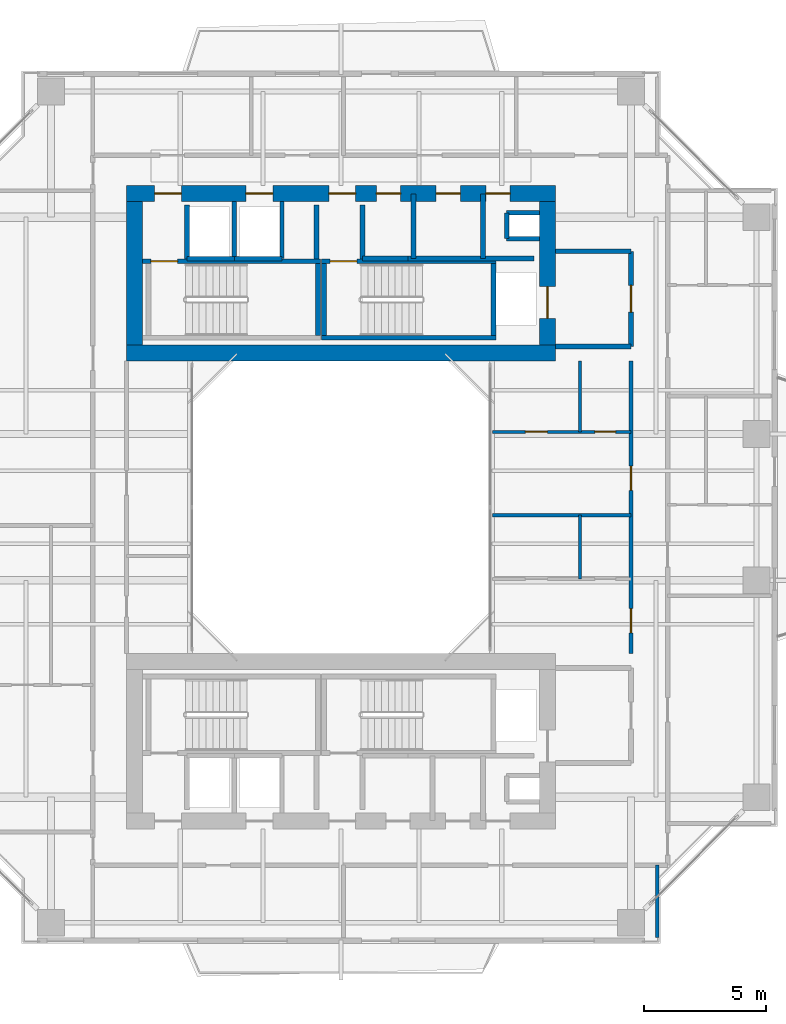
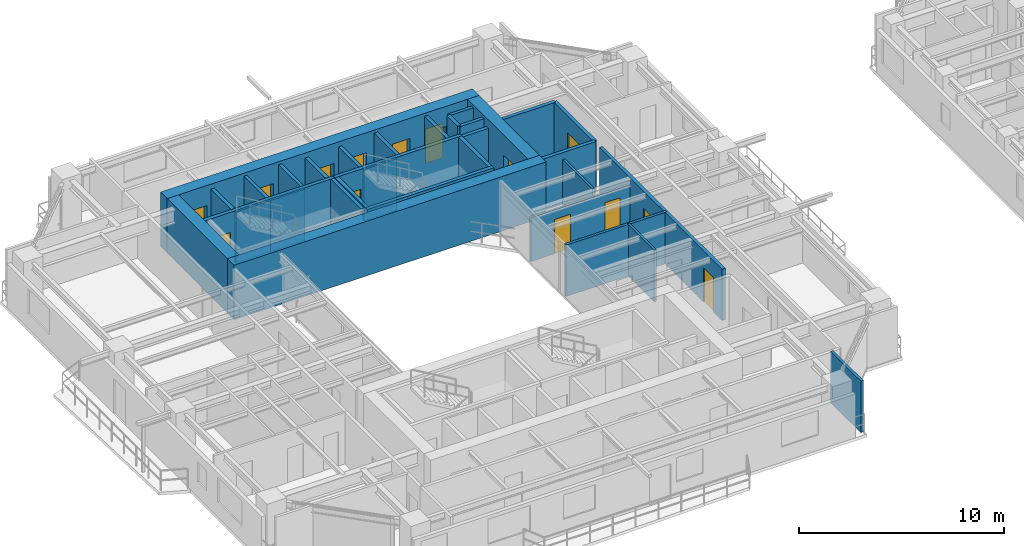
# One storey, part 15 of 23: 33 walls, 14 doors, 14 openings.
"""IFC4 building model written with IfcOpenShell, lengths in metres."""

from ifc_helpers import new_model, si_unit, direction, frame, frame_2d, origin, place, context, subcontext, project, spatial, rectangle, extrude, source, transform, mapped, material, layer, layer_set, type_object, element, fill, save


model = new_model("IFC4")

# Units and contexts
model_context = context("Model", 3, precision=1e-05, world=origin(), true_north=direction((0.0, 1.0)))
body_context = subcontext(model_context, "Body", "Model", "MODEL_VIEW")
ifc_project = project(units=[si_unit("LENGTHUNIT", "METRE"), si_unit("AREAUNIT", "SQUARE_METRE"), si_unit("VOLUMEUNIT", "CUBIC_METRE"), si_unit("PLANEANGLEUNIT", "RADIAN"), si_unit("MASSUNIT", "GRAM", prefix="KILO"), si_unit("THERMODYNAMICTEMPERATUREUNIT", "KELVIN"), si_unit("POWERUNIT", "WATT")], contexts=[model_context])

# Site, building, storey
site_placement = place(None, origin())
site = spatial("IfcSite", under=ifc_project, at=site_placement, CompositionType="ELEMENT")
building_placement = place(site_placement, origin())
building = spatial("IfcBuilding", under=site, at=building_placement, Name="Qiaomeng Ring Towers", CompositionType="ELEMENT")
storey_placement = place(building_placement, frame((0.0, 0.0, 100.25)))
storey = spatial("IfcBuildingStorey", under=building, at=storey_placement, Name="L28", CompositionType="ELEMENT", Elevation=100.25)

# Walls
ifc_material_1 = material(Name="Autoclaved aerated concrete block", Category="concrete")
ifc_layer_1 = layer(ifc_material_1, 0.199951171875, Name="Autoclaved aerated concrete block")
ifc_layer_set_1 = layer_set([ifc_layer_1], Name="Autoclaved aerated concrete block")
wall_type_1 = type_object("IfcWallType", Name="ARC-WL-PW1", PredefinedType="PARTITIONING", material=ifc_layer_set_1)
for number, where, z_axis, x_axis, name in (
    (1, (27.800048828125, 29.60009765625, 0.0), (0.0, 0.0, 1.0), (1.0, 0.0, 0.0), "L28 Interior Wall PW1"),
    (2, (27.800048828125, 33.5, 0.0), (0.0, 0.0, 1.0), (1.0, 0.0, 0.0), "L28 Interior Wall PW1"),
):
    element("IfcWall", number, at=place(storey_placement, frame(where, z_axis=z_axis, x_axis=x_axis)), inside=storey, type_object=wall_type_1, Name=name, PredefinedType="PARTITIONING", context=body_context, shape_type="SweptSolid", body=[
        extrude(rectangle(XDim=3.099853515625, YDim=0.199951171875, at=frame_2d((1.5498046875, 0.0))), origin(), (0.0, 0.0, 1.0), 3.070068359375),
    ])

# Wall, opening, door
wall_1_placement = place(storey_placement, frame((30.89990234375, 29.60009765625, 0.0), z_axis=(0.0, 0.0, 1.0), x_axis=(0.0, 1.0, 0.0)))
wall_1 = element("IfcWall", 3, at=wall_1_placement, inside=storey, type_object=wall_type_1, Name="L28 Interior Wall PW1", PredefinedType="PARTITIONING", context=body_context, shape_type="SweptSolid", body=[
    extrude(rectangle(XDim=3.89990234375, YDim=0.199951171875, at=frame_2d((1.949951171875, 0.0))), origin(), (0.0, 0.0, 1.0), 3.070068359375),
])
opening_1_placement = place(wall_1_placement, frame((1.39990234375, 0.0, 0.0)))
opening_1 = element("IfcOpeningElement", 4, at=opening_1_placement, cuts=wall_1, Name="Opening FD3", PredefinedType="OPENING", context=body_context, shape_type="SweptSolid", body=[
    extrude(rectangle(XDim=1.10009765625, YDim=2.050048828125, at=frame_2d((0.550048828125, 1.02490234375))), frame((0.0, 0.10986328125, 0.0), z_axis=(0.0, -1.0, 0.0), x_axis=(1.0, 0.0, 0.0)), (0.0, 0.0, 1.0), 0.219970703125),
])
ifc_material_2 = material(Name="Galvanised steel", Category="steel")
door_type_1 = type_object("IfcDoorType", Name="ARC-DR-FD3", OperationType="NOTDEFINED", PredefinedType="DOOR", material=ifc_material_2)
shared_shape_1 = source(origin(), body_context, "Body", "SweptSolid", [
    extrude(rectangle(XDim=1.10009765625, YDim=2.050048828125, at=frame_2d((0.550048828125, 1.02490234375))), frame((0.0, 0.02490234375, 0.0), z_axis=(0.0, -1.0, 0.0), x_axis=(1.0, 0.0, 0.0)), (0.0, 0.0, 1.0), 0.050048828125),
])
door_1_placement = place(opening_1_placement, origin())
door_1 = element("IfcDoor", 5, at=door_1_placement, inside=storey, type_object=door_type_1, Name="L28 North FF Lobby Door", OperationType="SINGLE_SWING_LEFT", OverallHeight=2.050048828125, OverallWidth=1.10009765625, PredefinedType="DOOR", context=body_context, shape_type="MappedRepresentation", body=[
    mapped(shared_shape_1, transform((0.0, 0.0, 0.0), x_axis=(1.0, 0.0, 0.0), y_axis=(0.0, 1.0, 0.0), z_axis=(0.0, 0.0, 1.0), scale=1.0)),
])
fill(opening_1, door_1)

# Walls
for number, where, z_axis, x_axis, name in (
    (6, (12.679931640625, 33.18994140625, 0.0), (0.0, 0.0, 1.0), (0.0, 1.0, 0.0), "L28 Interior Wall PW1"),
    (7, (18.0, 33.18994140625, 0.0), (0.0, 0.0, 1.0), (0.0, 1.0, 0.0), "L28 Interior Wall PW1"),
    (8, (19.8798828125, 33.18994140625, 0.0), (0.0, 0.0, 1.0), (0.0, 1.0, 0.0), "L28 Interior Wall PW1"),
):
    element("IfcWall", number, at=place(storey_placement, frame(where, z_axis=z_axis, x_axis=x_axis)), inside=storey, type_object=wall_type_1, Name=name, PredefinedType="PARTITIONING", context=body_context, shape_type="SweptSolid", body=[
        extrude(rectangle(XDim=2.2099609375, YDim=0.199951171875, at=frame_2d((1.10498046875, 0.0))), origin(), (0.0, 0.0, 1.0), 3.070068359375),
    ])
wall_2_placement = place(storey_placement, frame((24.820068359375, 33.199951171875, 0.0), z_axis=(0.0, 0.0, 1.0), x_axis=(0.0, 1.0, 0.0)))
element("IfcWall", 9, at=wall_2_placement, inside=storey, type_object=wall_type_1, Name="L28 Interior Wall PW1", PredefinedType="PARTITIONING", context=body_context, shape_type="SweptSolid", body=[
    extrude(rectangle(XDim=2.650146484375, YDim=0.199951171875, at=frame_2d((1.3251953125, 0.0))), origin(), (0.0, 0.0, 1.0), 3.070068359375),
])
wall_3_placement = place(storey_placement, frame((19.8798828125, 33.199951171875, 0.0), z_axis=(0.0, 0.0, 1.0), x_axis=(1.0, 0.0, 0.0)))
element("IfcWall", 10, at=wall_3_placement, inside=storey, type_object=wall_type_1, Name="L28 Interior Wall PW1", PredefinedType="PARTITIONING", context=body_context, shape_type="SweptSolid", body=[
    extrude(rectangle(XDim=1.8701171875, YDim=0.199951171875, at=frame_2d((0.93505859375, 0.0))), origin(), (0.0, 0.0, 1.0), 3.070068359375),
])
wall_4_placement = place(storey_placement, frame((21.97998046875, 33.199951171875, 0.0), z_axis=(0.0, 0.0, 1.0), x_axis=(0.0, 1.0, 0.0)))
element("IfcWall", 11, at=wall_4_placement, inside=storey, type_object=wall_type_1, Name="L28 Interior Wall PW1", PredefinedType="PARTITIONING", context=body_context, shape_type="SweptSolid", body=[
    extrude(rectangle(XDim=2.650146484375, YDim=0.199951171875, at=frame_2d((1.3251953125, 0.0))), origin(), (0.0, 0.0, 1.0), 3.070068359375),
])
wall_5_placement = place(storey_placement, frame((21.75, 33.199951171875, 0.0), z_axis=(0.0, 0.0, 1.0), x_axis=(1.0, 0.0, 0.0)))
element("IfcWall", 12, at=wall_5_placement, inside=storey, type_object=wall_type_1, Name="L28 Interior Wall PW1", PredefinedType="PARTITIONING", context=body_context, shape_type="SweptSolid", body=[
    extrude(rectangle(XDim=5.169921875, YDim=0.199951171875, at=frame_2d((2.5849609375, 0.0))), origin(), (0.0, 0.0, 1.0), 3.070068359375),
])

# Wall, openings, doors
ifc_layer_2 = layer(ifc_material_1, 0.179931640625, Name="Autoclaved aerated concrete block")
ifc_layer_set_2 = layer_set([ifc_layer_2], Name="Autoclaved aerated concrete block")
wall_type_2 = type_object("IfcWallType", Name="ARC-WL-PW2", PredefinedType="PARTITIONING", material=ifc_layer_set_2)
wall_6_placement = place(storey_placement, frame((30.89990234375, 17.0, 0.0), z_axis=(0.0, 0.0, 1.0), x_axis=(0.0, 1.0, 0.0)))
wall_6 = element("IfcWall", 13, at=wall_6_placement, inside=storey, type_object=wall_type_2, Name="L28 Interior Wall PW2", PredefinedType="PARTITIONING", context=body_context, shape_type="SweptSolid", body=[
    extrude(rectangle(XDim=12.0, YDim=0.179931640625, at=frame_2d((6.0, 0.0))), origin(), (0.0, 0.0, 1.0), 3.070068359375),
])
opening_2_placement = place(wall_6_placement, frame((0.840087890625, 0.0, 0.0)))
opening_2 = element("IfcOpeningElement", 14, at=opening_2_placement, cuts=wall_6, Name="Opening FD4", PredefinedType="OPENING", context=body_context, shape_type="SweptSolid", body=[
    extrude(rectangle(XDim=1.0, YDim=2.050048828125, at=frame_2d((0.5, 1.02490234375))), frame((0.0, 0.099853515625, 0.0), z_axis=(0.0, -1.0, 0.0), x_axis=(1.0, 0.0, 0.0)), (0.0, 0.0, 1.0), 0.199951171875),
])
opening_3_placement = place(wall_6_placement, frame((6.68994140625, 0.0, 0.0)))
opening_3 = element("IfcOpeningElement", 15, at=opening_3_placement, cuts=wall_6, Name="Opening FD4", PredefinedType="OPENING", context=body_context, shape_type="SweptSolid", body=[
    extrude(rectangle(XDim=1.0, YDim=2.050048828125, at=frame_2d((0.5, 1.02490234375))), frame((0.0, 0.099853515625, 0.0), z_axis=(0.0, -1.0, 0.0), x_axis=(1.0, 0.0, 0.0)), (0.0, 0.0, 1.0), 0.199951171875),
])
ifc_material_3 = material(Name="Engineered fire-rated oak timber", Category="wood")
door_type_2 = type_object("IfcDoorType", Name="ARC-DR-FD4", OperationType="NOTDEFINED", PredefinedType="DOOR", material=ifc_material_3)
shared_shape_2 = source(origin(), body_context, "Body", "SweptSolid", [
    extrude(rectangle(XDim=1.0, YDim=2.050048828125, at=frame_2d((0.5, 1.02490234375))), frame((0.0, 0.02490234375, 0.0), z_axis=(0.0, -1.0, 0.0), x_axis=(1.0, 0.0, 0.0)), (0.0, 0.0, 1.0), 0.050048828125),
])
door_2_placement = place(opening_2_placement, origin())
door_2 = element("IfcDoor", 16, at=door_2_placement, inside=storey, type_object=door_type_2, Name="L28 Door FD4", OperationType="SINGLE_SWING_LEFT", OverallHeight=2.050048828125, OverallWidth=1.0, PredefinedType="DOOR", context=body_context, shape_type="MappedRepresentation", body=[
    mapped(shared_shape_2, transform((0.0, 0.0, 0.0), x_axis=(1.0, 0.0, 0.0), y_axis=(0.0, 1.0, 0.0), z_axis=(0.0, 0.0, 1.0), scale=1.0)),
])
fill(opening_2, door_2)
door_3_placement = place(opening_3_placement, origin())
door_3 = element("IfcDoor", 17, at=door_3_placement, inside=storey, type_object=door_type_2, Name="L28 Door FD4", OperationType="SINGLE_SWING_RIGHT", OverallHeight=2.050048828125, OverallWidth=1.0, PredefinedType="DOOR", context=body_context, shape_type="MappedRepresentation", body=[
    mapped(shared_shape_2, transform((0.0, 0.0, 0.0), x_axis=(1.0, 0.0, 0.0), y_axis=(0.0, 1.0, 0.0), z_axis=(0.0, 0.0, 1.0), scale=1.0)),
])
fill(opening_3, door_3)

# Walls
ifc_material_4 = material(Name="Gypsum fireboard steel-stud partition", Category="steel")
ifc_layer_3 = layer(ifc_material_4, 0.14990234375, Name="Gypsum fireboard steel-stud partition")
ifc_layer_set_3 = layer_set([ifc_layer_3], Name="Gypsum fireboard steel-stud partition")
wall_type_3 = type_object("IfcWallType", Name="ARC-WL-PW3", PredefinedType="PARTITIONING", material=ifc_layer_set_3)
wall_7_placement = place(storey_placement, frame((31.97998046875, 5.35009765625, 0.0), z_axis=(0.0, 0.0, 1.0), x_axis=(0.0, 1.0, 0.0)))
element("IfcWall", 18, at=wall_7_placement, inside=storey, type_object=wall_type_3, Name="L28 Interior Wall PW3", PredefinedType="PARTITIONING", context=body_context, shape_type="SweptSolid", body=[
    extrude(rectangle(XDim=2.9599609375, YDim=0.14990234375, at=frame_2d((1.47998046875, 0.0))), origin(), (0.0, 0.0, 1.0), 3.070068359375),
])
wall_8_placement = place(storey_placement, frame((25.219970703125, 22.669921875, 0.0), z_axis=(0.0, 0.0, 1.0), x_axis=(1.0, 0.0, 0.0)))
element("IfcWall", 19, at=wall_8_placement, inside=storey, type_object=wall_type_3, Name="L28 Interior Wall PW3", PredefinedType="PARTITIONING", context=body_context, shape_type="SweptSolid", body=[
    extrude(rectangle(XDim=5.679931640625, YDim=0.14990234375, at=frame_2d((2.83984375, 0.0))), origin(), (0.0, 0.0, 1.0), 3.070068359375),
])
ifc_material_5 = material(Name="Moisture-resistant gypsum steel-stud partition", Category="steel")
ifc_layer_4 = layer(ifc_material_5, 0.1201171875, Name="Moisture-resistant gypsum steel-stud partition")
ifc_layer_set_4 = layer_set([ifc_layer_4], Name="Moisture-resistant gypsum steel-stud partition")
wall_type_4 = type_object("IfcWallType", Name="ARC-WL-PW4", PredefinedType="PLUMBINGWALL", material=ifc_layer_set_4)
wall_9_placement = place(storey_placement, frame((28.800048828125, 20.06005859375, 0.0), z_axis=(0.0, 0.0, 1.0), x_axis=(0.0, 1.0, 0.0)))
element("IfcWall", 20, at=wall_9_placement, inside=storey, type_object=wall_type_4, Name="L28 Interior Wall PW4", PredefinedType="PLUMBINGWALL", context=body_context, shape_type="SweptSolid", body=[
    extrude(rectangle(XDim=2.60986328125, YDim=0.1201171875, at=frame_2d((1.304931640625, 0.0))), origin(), (0.0, 0.0, 1.0), 3.070068359375),
])

# Wall, openings, doors
wall_10_placement = place(storey_placement, frame((25.219970703125, 26.090087890625, 0.0), z_axis=(0.0, 0.0, 1.0), x_axis=(1.0, 0.0, 0.0)))
wall_10 = element("IfcWall", 21, at=wall_10_placement, inside=storey, type_object=wall_type_4, Name="L28 Interior Wall PW4", PredefinedType="PLUMBINGWALL", context=body_context, shape_type="SweptSolid", body=[
    extrude(rectangle(XDim=5.679931640625, YDim=0.1201171875, at=frame_2d((2.83984375, 0.0))), origin(), (0.0, 0.0, 1.0), 2.625),
])
opening_4_placement = place(wall_10_placement, frame((1.35009765625, 0.0, 0.0)))
opening_4 = element("IfcOpeningElement", 22, at=opening_4_placement, cuts=wall_10, Name="Opening ID1", PredefinedType="OPENING", context=body_context, shape_type="SweptSolid", body=[
    extrude(rectangle(XDim=0.89990234375, YDim=2.050048828125, at=frame_2d((0.449951171875, 1.02490234375))), frame((0.0, 0.070068359375, 0.0), z_axis=(0.0, -1.0, 0.0), x_axis=(1.0, 0.0, 0.0)), (0.0, 0.0, 1.0), 0.14013671875),
])
opening_5_placement = place(wall_10_placement, frame((4.195068359375, 0.0, 0.0)))
opening_5 = element("IfcOpeningElement", 23, at=opening_5_placement, cuts=wall_10, Name="Opening ID2", PredefinedType="OPENING", context=body_context, shape_type="SweptSolid", body=[
    extrude(rectangle(XDim=0.85009765625, YDim=2.050048828125, at=frame_2d((0.425048828125, 1.02490234375))), frame((0.0, 0.070068359375, 0.0), z_axis=(0.0, -1.0, 0.0), x_axis=(1.0, 0.0, 0.0)), (0.0, 0.0, 1.0), 0.14013671875),
])
ifc_material_6 = material(Name="Moisture-resistant engineered timber", Category="wood")
door_type_3 = type_object("IfcDoorType", Name="ARC-DR-ID2", OperationType="NOTDEFINED", PredefinedType="DOOR", material=ifc_material_6)
shared_shape_3 = source(origin(), body_context, "Body", "SweptSolid", [
    extrude(rectangle(XDim=0.85009765625, YDim=2.050048828125, at=frame_2d((0.425048828125, 1.02490234375))), frame((0.0, 0.02490234375, 0.0), z_axis=(0.0, -1.0, 0.0), x_axis=(1.0, 0.0, 0.0)), (0.0, 0.0, 1.0), 0.050048828125),
])
door_4_placement = place(opening_5_placement, origin())
door_4 = element("IfcDoor", 24, at=door_4_placement, inside=storey, type_object=door_type_3, Name="L28 Door ID2", OperationType="SINGLE_SWING_RIGHT", OverallHeight=2.050048828125, OverallWidth=0.85009765625, PredefinedType="DOOR", context=body_context, shape_type="MappedRepresentation", body=[
    mapped(shared_shape_3, transform((0.0, 0.0, 0.0), x_axis=(1.0, 0.0, 0.0), y_axis=(0.0, 1.0, 0.0), z_axis=(0.0, 0.0, 1.0), scale=1.0)),
])
fill(opening_5, door_4)
ifc_material_7 = material(Name="Engineered oak timber", Category="wood")
door_type_4 = type_object("IfcDoorType", Name="ARC-DR-ID1", OperationType="NOTDEFINED", PredefinedType="DOOR", material=ifc_material_7)
shared_shape_4 = source(origin(), body_context, "Body", "SweptSolid", [
    extrude(rectangle(XDim=0.89990234375, YDim=2.050048828125, at=frame_2d((0.449951171875, 1.02490234375))), frame((0.0, 0.02490234375, 0.0), z_axis=(0.0, -1.0, 0.0), x_axis=(1.0, 0.0, 0.0)), (0.0, 0.0, 1.0), 0.050048828125),
])
door_5_placement = place(opening_4_placement, origin())
door_5 = element("IfcDoor", 25, at=door_5_placement, inside=storey, type_object=door_type_4, Name="L28 Door ID1", OperationType="SINGLE_SWING_LEFT", OverallHeight=2.050048828125, OverallWidth=0.89990234375, PredefinedType="DOOR", context=body_context, shape_type="MappedRepresentation", body=[
    mapped(shared_shape_4, transform((0.0, 0.0, 0.0), x_axis=(1.0, 0.0, 0.0), y_axis=(0.0, 1.0, 0.0), z_axis=(0.0, 0.0, 1.0), scale=1.0)),
])
fill(opening_4, door_5)

# Walls
wall_11_placement = place(storey_placement, frame((28.800048828125, 26.090087890625, 0.0), z_axis=(0.0, 0.0, 1.0), x_axis=(0.0, 1.0, 0.0)))
element("IfcWall", 26, at=wall_11_placement, inside=storey, type_object=wall_type_4, Name="L28 Interior Wall PW4", PredefinedType="PLUMBINGWALL", context=body_context, shape_type="SweptSolid", body=[
    extrude(rectangle(XDim=2.909912109375, YDim=0.1201171875, at=frame_2d((1.455078125, 0.0))), origin(), (0.0, 0.0, 1.0), 3.070068359375),
])
ifc_material_8 = material(Name="Concrete C40", Category="concrete")
ifc_layer_5 = layer(ifc_material_8, 0.199951171875, Name="Concrete C40")
ifc_layer_set_5 = layer_set([ifc_layer_5], Name="Concrete C40")
wall_type_5 = type_object("IfcWallType", Name="STR-WL-STSHAFT", PredefinedType="SHEAR", material=ifc_layer_set_5)
wall_12_placement = place(storey_placement, frame((12.679931640625, 33.199951171875, 0.0), z_axis=(0.0, 0.0, 1.0), x_axis=(1.0, 0.0, 0.0)))
element("IfcWall", 27, at=wall_12_placement, inside=storey, type_object=wall_type_5, Name="L28 Lift LP5 Shaft Back Wall", PredefinedType="SHEAR", context=body_context, shape_type="SweptSolid", body=[
    extrude(rectangle(XDim=1.940185546875, YDim=0.179931640625, at=frame_2d((0.97021484375, 0.0))), origin(), (0.0, 0.0, 1.0), 3.070068359375),
])
wall_13_placement = place(storey_placement, frame((14.6201171875, 33.199951171875, 0.0), z_axis=(0.0, 0.0, 1.0), x_axis=(0.0, 1.0, 0.0)))
element("IfcWall", 28, at=wall_13_placement, inside=storey, type_object=wall_type_5, Name="L28 Lift LP5-LP3 Shaft Divider Wall", PredefinedType="SHEAR", context=body_context, shape_type="SweptSolid", body=[
    extrude(rectangle(XDim=2.35009765625, YDim=0.179931640625, at=frame_2d((1.175048828125, 0.0))), origin(), (0.0, 0.0, 1.0), 3.070068359375),
])
wall_14_placement = place(storey_placement, frame((25.800048828125, 34.02001953125, 0.0), z_axis=(0.0, 0.0, 1.0), x_axis=(0.0, 1.0, 0.0)))
element("IfcWall", 29, at=wall_14_placement, inside=storey, type_object=wall_type_5, Name="L28 Riser RSR1 West Shaft Wall N", PredefinedType="SHEAR", context=body_context, shape_type="SweptSolid", body=[
    extrude(rectangle(XDim=1.06005859375, YDim=0.179931640625, at=frame_2d((0.530029296875, 0.0))), origin(), (0.0, 0.0, 1.0), 3.070068359375),
])
for number, where, z_axis, x_axis, name in (
    (30, (25.800048828125, 35.080078125, 0.0), (0.0, 0.0, 1.0), (1.0, 0.0, 0.0), "L28 Riser RSR1 North Shaft Wall N"),
    (31, (25.800048828125, 34.02001953125, 0.0), (0.0, 0.0, 1.0), (1.0, 0.0, 0.0), "L28 Riser RSR1 South Shaft Wall N"),
):
    element("IfcWall", number, at=place(storey_placement, frame(where, z_axis=z_axis, x_axis=x_axis)), inside=storey, type_object=wall_type_5, Name=name, PredefinedType="SHEAR", context=body_context, shape_type="SweptSolid", body=[
        extrude(rectangle(XDim=1.349853515625, YDim=0.179931640625, at=frame_2d((0.6748046875, 0.0))), origin(), (0.0, 0.0, 1.0), 3.070068359375),
    ])
wall_15_placement = place(storey_placement, frame((14.6201171875, 33.199951171875, 0.0), z_axis=(0.0, 0.0, 1.0), x_axis=(1.0, 0.0, 0.0)))
element("IfcWall", 32, at=wall_15_placement, inside=storey, type_object=wall_type_5, Name="L28 Lift LP3 Shaft Back Wall", PredefinedType="SHEAR", context=body_context, shape_type="SweptSolid", body=[
    extrude(rectangle(XDim=1.9599609375, YDim=0.179931640625, at=frame_2d((0.97998046875, 0.0))), origin(), (0.0, 0.0, 1.0), 3.070068359375),
])
wall_16_placement = place(storey_placement, frame((16.580078125, 33.199951171875, 0.0), z_axis=(0.0, 0.0, 1.0), x_axis=(0.0, 1.0, 0.0)))
element("IfcWall", 33, at=wall_16_placement, inside=storey, type_object=wall_type_5, Name="L28 Lift LP3 East Shaft Wall", PredefinedType="SHEAR", context=body_context, shape_type="SweptSolid", body=[
    extrude(rectangle(XDim=2.35009765625, YDim=0.179931640625, at=frame_2d((1.175048828125, 0.0))), origin(), (0.0, 0.0, 1.0), 3.070068359375),
])

# Wall, opening, door
wall_17_placement = place(storey_placement, frame((10.85009765625, 33.090087890625, 0.0), z_axis=(0.0, 0.0, 1.0), x_axis=(1.0, 0.0, 0.0)))
wall_17 = element("IfcWall", 34, at=wall_17_placement, inside=storey, type_object=wall_type_5, Name="L28 Stair ST1 North Shaft Shear Wall", PredefinedType="SHEAR", context=body_context, shape_type="SweptSolid", body=[
    extrude(rectangle(XDim=7.2998046875, YDim=0.199951171875, at=frame_2d((3.64990234375, 0.0))), origin(), (0.0, 0.0, 1.0), 3.25),
])
opening_6_placement = place(wall_17_placement, frame((0.35009765625, 0.0, 0.0)))
opening_6 = element("IfcOpeningElement", 35, at=opening_6_placement, cuts=wall_17, Name="Opening FD3", PredefinedType="OPENING", context=body_context, shape_type="SweptSolid", body=[
    extrude(rectangle(XDim=1.10009765625, YDim=2.050048828125, at=frame_2d((0.550048828125, 1.02490234375))), frame((0.0, 0.10986328125, 0.0), z_axis=(0.0, -1.0, 0.0), x_axis=(1.0, 0.0, 0.0)), (0.0, 0.0, 1.0), 0.219970703125),
])
door_6_placement = place(opening_6_placement, origin())
door_6 = element("IfcDoor", 36, at=door_6_placement, inside=storey, type_object=door_type_1, Name="L28 Stair ST1 Exit Door", OperationType="SINGLE_SWING_RIGHT", OverallHeight=2.050048828125, OverallWidth=1.10009765625, PredefinedType="DOOR", context=body_context, shape_type="MappedRepresentation", body=[
    mapped(shared_shape_1, transform((0.0, 0.0, 0.0), x_axis=(1.0, 0.0, 0.0), y_axis=(0.0, 1.0, 0.0), z_axis=(0.0, 0.0, 1.0), scale=1.0)),
])
fill(opening_6, door_6)

# Walls
wall_18_placement = place(storey_placement, frame((18.050048828125, 30.050048828125, 0.0), z_axis=(0.0, 0.0, 1.0), x_axis=(0.0, 1.0, 0.0)))
element("IfcWall", 37, at=wall_18_placement, inside=storey, type_object=wall_type_5, Name="L28 Stair ST1 East Shaft Shear Wall", PredefinedType="SHEAR", context=body_context, shape_type="SweptSolid", body=[
    extrude(rectangle(XDim=2.93994140625, YDim=0.199951171875, at=frame_2d((1.469970703125, 0.0))), origin(), (0.0, 0.0, 1.0), 3.25),
])
wall_19_placement = place(storey_placement, frame((18.199951171875, 29.949951171875, 0.0), z_axis=(0.0, 0.0, 1.0), x_axis=(1.0, 0.0, 0.0)))
element("IfcWall", 38, at=wall_19_placement, inside=storey, type_object=wall_type_5, Name="L28 Stair ST2 South Shaft Shear Wall", PredefinedType="SHEAR", context=body_context, shape_type="SweptSolid", body=[
    extrude(rectangle(XDim=7.150146484375, YDim=0.199951171875, at=frame_2d((3.5751953125, 0.0))), origin(), (0.0, 0.0, 1.0), 3.25),
])

# Wall, opening, door
wall_20_placement = place(storey_placement, frame((18.199951171875, 33.090087890625, 0.0), z_axis=(0.0, 0.0, 1.0), x_axis=(1.0, 0.0, 0.0)))
wall_20 = element("IfcWall", 39, at=wall_20_placement, inside=storey, type_object=wall_type_5, Name="L28 Stair ST2 North Shaft Shear Wall", PredefinedType="SHEAR", context=body_context, shape_type="SweptSolid", body=[
    extrude(rectangle(XDim=7.150146484375, YDim=0.199951171875, at=frame_2d((3.5751953125, 0.0))), origin(), (0.0, 0.0, 1.0), 3.25),
])
opening_7_placement = place(wall_20_placement, frame((0.35009765625, 0.0, 0.0)))
opening_7 = element("IfcOpeningElement", 40, at=opening_7_placement, cuts=wall_20, Name="Opening FD3", PredefinedType="OPENING", context=body_context, shape_type="SweptSolid", body=[
    extrude(rectangle(XDim=1.10009765625, YDim=2.050048828125, at=frame_2d((0.550048828125, 1.02490234375))), frame((0.0, 0.10986328125, 0.0), z_axis=(0.0, -1.0, 0.0), x_axis=(1.0, 0.0, 0.0)), (0.0, 0.0, 1.0), 0.219970703125),
])
door_7_placement = place(opening_7_placement, origin())
door_7 = element("IfcDoor", 41, at=door_7_placement, inside=storey, type_object=door_type_1, Name="L28 Stair ST2 Exit Door", OperationType="SINGLE_SWING_RIGHT", OverallHeight=2.050048828125, OverallWidth=1.10009765625, PredefinedType="DOOR", context=body_context, shape_type="MappedRepresentation", body=[
    mapped(shared_shape_1, transform((0.0, 0.0, 0.0), x_axis=(1.0, 0.0, 0.0), y_axis=(0.0, 1.0, 0.0), z_axis=(0.0, 0.0, 1.0), scale=1.0)),
])
fill(opening_7, door_7)

# Walls
for number, where, z_axis, x_axis, name in (
    (42, (18.300048828125, 30.050048828125, 0.0), (0.0, 0.0, 1.0), (0.0, 1.0, 0.0), "L28 Stair ST2 West Shaft Shear Wall"),
    (43, (25.25, 30.050048828125, 0.0), (0.0, 0.0, 1.0), (0.0, 1.0, 0.0), "L28 Stair ST2 East Shaft Shear Wall"),
):
    element("IfcWall", number, at=place(storey_placement, frame(where, z_axis=z_axis, x_axis=x_axis)), inside=storey, type_object=wall_type_5, Name=name, PredefinedType="SHEAR", context=body_context, shape_type="SweptSolid", body=[
        extrude(rectangle(XDim=2.93994140625, YDim=0.199951171875, at=frame_2d((1.469970703125, 0.0))), origin(), (0.0, 0.0, 1.0), 3.25),
    ])
ifc_material_9 = material(Name="Concrete C55", Category="concrete")
ifc_layer_6 = layer(ifc_material_9, 0.64990234375, Name="Concrete C55")
ifc_layer_set_6 = layer_set([ifc_layer_6], Name="Concrete C55")
wall_type_6 = type_object("IfcWallType", Name="STR-WL-SW2A", PredefinedType="SHEAR", material=ifc_layer_set_6)
wall_21_placement = place(storey_placement, frame((10.199951171875, 29.324951171875, 0.0), z_axis=(0.0, 0.0, 1.0), x_axis=(1.0, 0.0, 0.0)))
element("IfcWall", 44, at=wall_21_placement, inside=storey, type_object=wall_type_6, Name="L28 T1NC south core shear wall", PredefinedType="SHEAR", context=body_context, shape_type="SweptSolid", body=[
    extrude(rectangle(XDim=17.60009765625, YDim=0.64990234375, at=frame_2d((8.800048828125, 0.0))), origin(), (0.0, 0.0, 1.0), 3.25),
])

# Wall, openings, doors
wall_22_placement = place(storey_placement, frame((10.199951171875, 35.875, 0.0), z_axis=(0.0, 0.0, 1.0), x_axis=(1.0, 0.0, 0.0)))
wall_22 = element("IfcWall", 45, at=wall_22_placement, inside=storey, type_object=wall_type_6, Name="L28 T1NC north core shear wall", PredefinedType="SHEAR", context=body_context, shape_type="SweptSolid", body=[
    extrude(rectangle(XDim=17.60009765625, YDim=0.64990234375, at=frame_2d((8.800048828125, 0.0))), origin(), (0.0, 0.0, 1.0), 3.25),
])
opening_8_placement = place(wall_22_placement, frame((1.14990234375, 0.0, 0.0)))
opening_8 = element("IfcOpeningElement", 46, at=opening_8_placement, cuts=wall_22, Name="Opening FD3", PredefinedType="OPENING", context=body_context, shape_type="SweptSolid", body=[
    extrude(rectangle(XDim=1.10009765625, YDim=2.050048828125, at=frame_2d((0.550048828125, 1.02490234375))), frame((0.0, 0.3349609375, 0.0), z_axis=(0.0, -1.0, 0.0), x_axis=(1.0, 0.0, 0.0)), (0.0, 0.0, 1.0), 0.669921875),
])
opening_9_placement = place(wall_22_placement, frame((8.300048828125, 0.0, 0.0)))
opening_9 = element("IfcOpeningElement", 47, at=opening_9_placement, cuts=wall_22, Name="Opening FD3", PredefinedType="OPENING", context=body_context, shape_type="SweptSolid", body=[
    extrude(rectangle(XDim=1.10009765625, YDim=2.050048828125, at=frame_2d((0.550048828125, 1.02490234375))), frame((0.0, 0.3349609375, 0.0), z_axis=(0.0, -1.0, 0.0), x_axis=(1.0, 0.0, 0.0)), (0.0, 0.0, 1.0), 0.669921875),
])
opening_10_placement = place(wall_22_placement, frame((4.89990234375, 0.0, 0.0)))
opening_10 = element("IfcOpeningElement", 48, at=opening_10_placement, cuts=wall_22, Name="Opening LD1", PredefinedType="OPENING", context=body_context, shape_type="SweptSolid", body=[
    extrude(rectangle(XDim=1.10009765625, YDim=2.050048828125, at=frame_2d((0.550048828125, 1.02490234375))), frame((0.0, 0.3349609375, 0.0), z_axis=(0.0, -1.0, 0.0), x_axis=(1.0, 0.0, 0.0)), (0.0, 0.0, 1.0), 0.669921875),
])
opening_11_placement = place(wall_22_placement, frame((14.739990234375, 0.0, 0.0)))
opening_11 = element("IfcOpeningElement", 49, at=opening_11_placement, cuts=wall_22, Name="Opening FD1", PredefinedType="OPENING", context=body_context, shape_type="SweptSolid", body=[
    extrude(rectangle(XDim=1.0, YDim=2.050048828125, at=frame_2d((0.5, 1.02490234375))), frame((0.0, 0.3349609375, 0.0), z_axis=(0.0, -1.0, 0.0), x_axis=(1.0, 0.0, 0.0)), (0.0, 0.0, 1.0), 0.669921875),
])
opening_12_placement = place(wall_22_placement, frame((10.25, 0.0, 0.0)))
opening_12 = element("IfcOpeningElement", 50, at=opening_12_placement, cuts=wall_22, Name="Opening FD1", PredefinedType="OPENING", context=body_context, shape_type="SweptSolid", body=[
    extrude(rectangle(XDim=1.0, YDim=2.050048828125, at=frame_2d((0.5, 1.02490234375))), frame((0.0, 0.3349609375, 0.0), z_axis=(0.0, -1.0, 0.0), x_axis=(1.0, 0.0, 0.0)), (0.0, 0.0, 1.0), 0.669921875),
])
opening_13_placement = place(wall_22_placement, frame((12.699951171875, 0.0, 0.0)))
opening_13 = element("IfcOpeningElement", 51, at=opening_13_placement, cuts=wall_22, Name="Opening FD1", PredefinedType="OPENING", context=body_context, shape_type="SweptSolid", body=[
    extrude(rectangle(XDim=1.0, YDim=2.050048828125, at=frame_2d((0.5, 1.02490234375))), frame((0.0, 0.3349609375, 0.0), z_axis=(0.0, -1.0, 0.0), x_axis=(1.0, 0.0, 0.0)), (0.0, 0.0, 1.0), 0.669921875),
])
door_8_placement = place(opening_8_placement, origin())
door_8 = element("IfcDoor", 52, at=door_8_placement, inside=storey, type_object=door_type_1, Name="L28 Stair ST1 Lobby Door", OperationType="SINGLE_SWING_LEFT", OverallHeight=2.050048828125, OverallWidth=1.10009765625, PredefinedType="DOOR", context=body_context, shape_type="MappedRepresentation", body=[
    mapped(shared_shape_1, transform((0.0, 0.0, 0.0), x_axis=(1.0, 0.0, 0.0), y_axis=(0.0, 1.0, 0.0), z_axis=(0.0, 0.0, 1.0), scale=1.0)),
])
fill(opening_8, door_8)
door_9_placement = place(opening_9_placement, origin())
door_9 = element("IfcDoor", 53, at=door_9_placement, inside=storey, type_object=door_type_1, Name="L28 Stair ST2 Lobby Door", OperationType="SINGLE_SWING_LEFT", OverallHeight=2.050048828125, OverallWidth=1.10009765625, PredefinedType="DOOR", context=body_context, shape_type="MappedRepresentation", body=[
    mapped(shared_shape_1, transform((0.0, 0.0, 0.0), x_axis=(1.0, 0.0, 0.0), y_axis=(0.0, 1.0, 0.0), z_axis=(0.0, 0.0, 1.0), scale=1.0)),
])
fill(opening_9, door_9)
ifc_material_10 = material(Name="Stainless steel 316", Category="steel")
door_type_5 = type_object("IfcDoorType", Name="ARC-DR-LD1", OperationType="NOTDEFINED", PredefinedType="DOOR", material=ifc_material_10)
door_10_placement = place(opening_10_placement, origin())
door_10 = element("IfcDoor", 54, at=door_10_placement, inside=storey, type_object=door_type_5, Name="L28 Mid-Zone Lift LP3 Landing Door", OperationType="SLIDING_TO_LEFT", OverallHeight=2.050048828125, OverallWidth=1.10009765625, PredefinedType="DOOR", context=body_context, shape_type="MappedRepresentation", body=[
    mapped(shared_shape_1, transform((0.0, 0.0, 0.0), x_axis=(1.0, 0.0, 0.0), y_axis=(0.0, 1.0, 0.0), z_axis=(0.0, 0.0, 1.0), scale=1.0)),
])
fill(opening_10, door_10)
door_type_6 = type_object("IfcDoorType", Name="ARC-DR-FD1", OperationType="NOTDEFINED", PredefinedType="DOOR", material=ifc_material_2)
door_11_placement = place(opening_11_placement, origin())
door_11 = element("IfcDoor", 55, at=door_11_placement, inside=storey, type_object=door_type_6, Name="L28 North Electrical Riser Door", OperationType="SINGLE_SWING_LEFT", OverallHeight=2.050048828125, OverallWidth=1.0, PredefinedType="DOOR", context=body_context, shape_type="MappedRepresentation", body=[
    mapped(shared_shape_2, transform((0.0, 0.0, 0.0), x_axis=(1.0, 0.0, 0.0), y_axis=(0.0, 1.0, 0.0), z_axis=(0.0, 0.0, 1.0), scale=1.0)),
])
fill(opening_11, door_11)
door_12_placement = place(opening_12_placement, origin())
door_12 = element("IfcDoor", 56, at=door_12_placement, inside=storey, type_object=door_type_6, Name="L28 North Cleaners Store Door", OperationType="SINGLE_SWING_LEFT", OverallHeight=2.050048828125, OverallWidth=1.0, PredefinedType="DOOR", context=body_context, shape_type="MappedRepresentation", body=[
    mapped(shared_shape_2, transform((0.0, 0.0, 0.0), x_axis=(1.0, 0.0, 0.0), y_axis=(0.0, 1.0, 0.0), z_axis=(0.0, 0.0, 1.0), scale=1.0)),
])
fill(opening_12, door_12)
door_13_placement = place(opening_13_placement, origin())
door_13 = element("IfcDoor", 57, at=door_13_placement, inside=storey, type_object=door_type_6, Name="L28 North Facilities Management Office Door", OperationType="SINGLE_SWING_RIGHT", OverallHeight=2.050048828125, OverallWidth=1.0, PredefinedType="DOOR", context=body_context, shape_type="MappedRepresentation", body=[
    mapped(shared_shape_2, transform((0.0, 0.0, 0.0), x_axis=(1.0, 0.0, 0.0), y_axis=(0.0, 1.0, 0.0), z_axis=(0.0, 0.0, 1.0), scale=1.0)),
])
fill(opening_13, door_13)

# Wall
wall_23_placement = place(storey_placement, frame((10.52490234375, 29.64990234375, 0.0), z_axis=(0.0, 0.0, 1.0), x_axis=(0.0, 1.0, 0.0)))
element("IfcWall", 58, at=wall_23_placement, inside=storey, type_object=wall_type_6, Name="L28 T1NC west core shear wall", PredefinedType="SHEAR", context=body_context, shape_type="SweptSolid", body=[
    extrude(rectangle(XDim=5.900146484375, YDim=0.64990234375, at=frame_2d((2.9501953125, 0.0))), origin(), (0.0, 0.0, 1.0), 3.25),
])

# Wall, opening, door
wall_24_placement = place(storey_placement, frame((27.47509765625, 29.64990234375, 0.0), z_axis=(0.0, 0.0, 1.0), x_axis=(0.0, 1.0, 0.0)))
wall_24 = element("IfcWall", 59, at=wall_24_placement, inside=storey, type_object=wall_type_6, Name="L28 T1NC east core shear wall", PredefinedType="SHEAR", context=body_context, shape_type="SweptSolid", body=[
    extrude(rectangle(XDim=5.900146484375, YDim=0.64990234375, at=frame_2d((2.9501953125, 0.0))), origin(), (0.0, 0.0, 1.0), 3.25),
])
opening_14_placement = place(wall_24_placement, frame((1.10009765625, 0.0, 0.0)))
opening_14 = element("IfcOpeningElement", 60, at=opening_14_placement, cuts=wall_24, Name="Opening LD2", PredefinedType="OPENING", context=body_context, shape_type="SweptSolid", body=[
    extrude(rectangle(XDim=1.300048828125, YDim=2.050048828125, at=frame_2d((0.64990234375, 1.02490234375))), frame((0.0, 0.3349609375, 0.0), z_axis=(0.0, -1.0, 0.0), x_axis=(1.0, 0.0, 0.0)), (0.0, 0.0, 1.0), 0.669921875),
])
door_type_7 = type_object("IfcDoorType", Name="ARC-DR-LD2", OperationType="NOTDEFINED", PredefinedType="DOOR", material=ifc_material_10)
shared_shape_5 = source(origin(), body_context, "Body", "SweptSolid", [
    extrude(rectangle(XDim=1.300048828125, YDim=2.050048828125, at=frame_2d((0.64990234375, 1.02490234375))), frame((0.0, 0.02490234375, 0.0), z_axis=(0.0, -1.0, 0.0), x_axis=(1.0, 0.0, 0.0)), (0.0, 0.0, 1.0), 0.050048828125),
])
door_14_placement = place(opening_14_placement, origin())
door_14 = element("IfcDoor", 61, at=door_14_placement, inside=storey, type_object=door_type_7, Name="L28 Firefighting Lift FL1 Landing Door", OperationType="SLIDING_TO_LEFT", OverallHeight=2.050048828125, OverallWidth=1.300048828125, PredefinedType="DOOR", context=body_context, shape_type="MappedRepresentation", body=[
    mapped(shared_shape_5, transform((0.0, 0.0, 0.0), x_axis=(1.0, 0.0, 0.0), y_axis=(0.0, 1.0, 0.0), z_axis=(0.0, 0.0, 1.0), scale=1.0)),
])
fill(opening_14, door_14)

save(model, "model.ifc")
